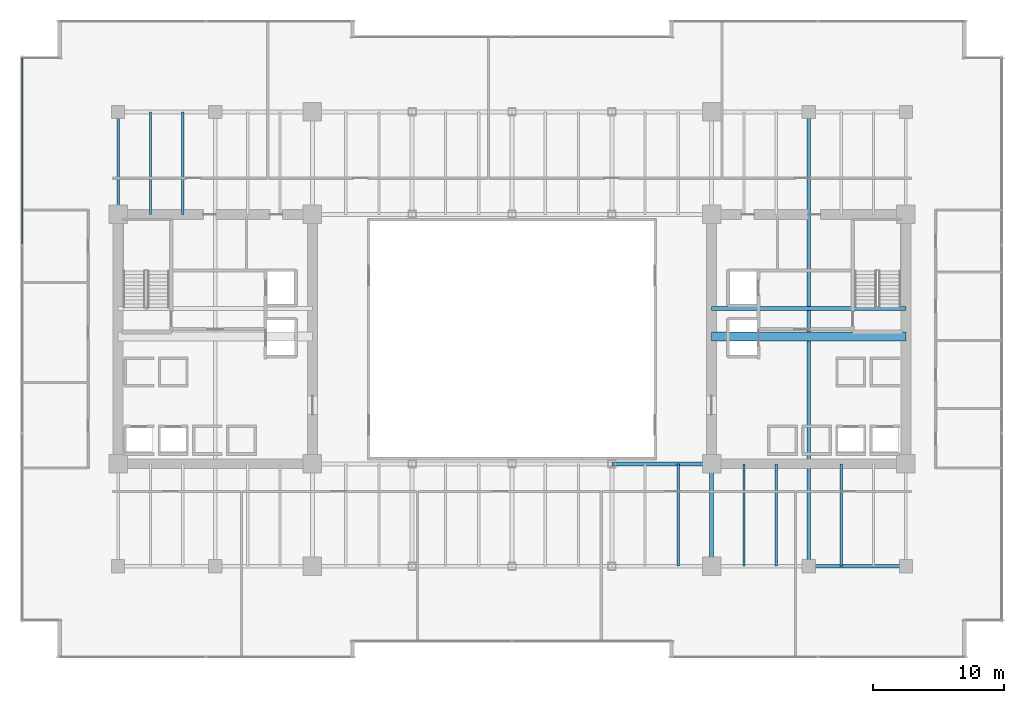
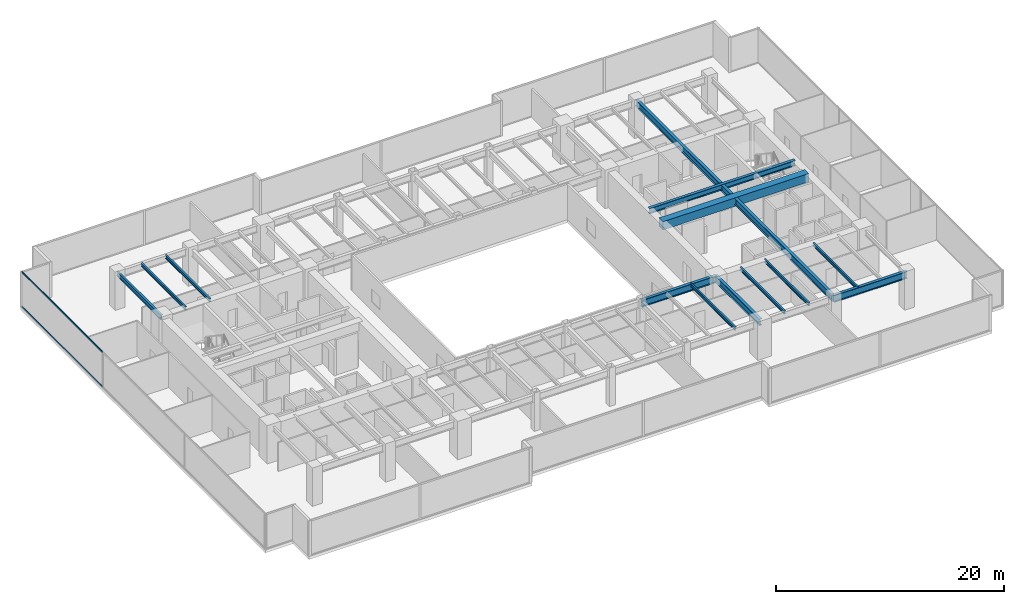
# One storey, part 11 of 35: 13 beams, 2 members, 1 element without a shape of its own.
"""IFC4 building model written with IfcOpenShell, lengths in metres."""

import ifcopenshell
import ifcopenshell.guid

model = None  # the IFC model being written
_history = None  # IfcOwnerHistory: only IFC2X3 demands one
_inside = {}  # id of a spatial element -> (the spatial element, [elements in it])
_under = {}  # id of a project, library or spatial element -> (it, [spatial elements below it])
_declared = {}  # id of a project -> (the project, [libraries it declares])
_typed = {}  # id of a type object -> (the type object, [elements of that type])
_made_of = {}  # id of a material, layer set ... -> (it, [elements and type objects made of it])


def new_model(schema):
    """Start an empty IFC model of exactly this schema.

    Asked for "IFC4X3", IfcOpenShell would pick the latest addendum, in which some entities
    have other attributes; the version numbers below select the first issue.
    IFC2X3 requires an IfcOwnerHistory on every rooted entity: one is made here for all.
    """
    global model, _history
    if schema == "IFC4X3":
        model = ifcopenshell.file(schema_version=(4, 3, 0, 0))
    else:
        model = ifcopenshell.file(schema=schema)
    _inside.clear()
    _under.clear()
    _declared.clear()
    _typed.clear()
    _made_of.clear()
    _history = None
    if model.schema == "IFC2X3":
        org = make("IfcOrganization", Name="unknown")
        user = make(
            "IfcPersonAndOrganization",
            ThePerson=make("IfcPerson", FamilyName="unknown"),
            TheOrganization=org,
        )
        app = make(
            "IfcApplication",
            ApplicationDeveloper=org,
            Version="unknown",
            ApplicationFullName="unknown",
            ApplicationIdentifier="unknown",
        )
        _history = make(
            "IfcOwnerHistory",
            OwningUser=user,
            OwningApplication=app,
            ChangeAction="ADDED",
            CreationDate=0,
        )
    return model


def make(cls, **values):
    """One entity of the class cls with the attributes given. An attribute that is None is left unset."""
    return model.create_entity(
        cls, **{name: value for name, value in values.items() if value is not None}
    )


def rooted(cls, **values):
    """An entity with a GlobalId (a new one), such as an element, a storey or a relation."""
    return make(cls, GlobalId=ifcopenshell.guid.new(), OwnerHistory=_history, **values)


def si_unit(unit_type, name, prefix=None):
    """IfcSIUnit, for example si_unit("LENGTHUNIT", "METRE", prefix="MILLI")."""
    return make("IfcSIUnit", UnitType=unit_type, Prefix=prefix, Name=name)


def assignment(units):
    """IfcUnitAssignment: the units of a project."""
    return None if units is None else make("IfcUnitAssignment", Units=units)


def point(xyz):
    """IfcCartesianPoint."""
    return None if xyz is None else make("IfcCartesianPoint", Coordinates=xyz)


def direction(xyz):
    """IfcDirection."""
    return None if xyz is None else make("IfcDirection", DirectionRatios=xyz)


def frame(location, z_axis=None, x_axis=None):
    """IfcAxis2Placement3D, a coordinate frame: its origin and axes. An axis left out is left unset."""
    return make(
        "IfcAxis2Placement3D",
        Location=point(location),
        Axis=direction(z_axis),
        RefDirection=direction(x_axis),
    )


def frame_2d(location, x_axis=None):
    """IfcAxis2Placement2D, a coordinate frame in the plane: its origin and x axis."""
    return make(
        "IfcAxis2Placement2D", Location=point(location), RefDirection=direction(x_axis)
    )


def origin():
    """The frame at (0, 0, 0) with its axes left unset."""
    return frame((0.0, 0.0, 0.0))


def origin_2d():
    """The frame at (0, 0) in the plane with its x axis left unset."""
    return frame_2d((0.0, 0.0))


def place(relative_to, where):
    """IfcLocalPlacement: puts the frame where relative to a parent placement (None: the world)."""
    return make(
        "IfcLocalPlacement", PlacementRelTo=relative_to, RelativePlacement=where
    )


def context(
    kind, dimensions, precision=None, world=None, true_north=None, identifier=None
):
    """IfcGeometricRepresentationContext, for example the 3D "Model" context."""
    return make(
        "IfcGeometricRepresentationContext",
        ContextIdentifier=identifier,
        ContextType=kind,
        CoordinateSpaceDimension=dimensions,
        Precision=precision,
        WorldCoordinateSystem=world,
        TrueNorth=true_north,
    )


def subcontext(parent, identifier, kind, view, scale=None):
    """IfcGeometricRepresentationSubContext, for example "Body" below "Model"."""
    return make(
        "IfcGeometricRepresentationSubContext",
        ContextIdentifier=identifier,
        ContextType=kind,
        ParentContext=parent,
        TargetScale=scale,
        TargetView=view,
    )


def project(units=None, contexts=None):
    """IfcProject with its units and contexts."""
    return rooted(
        "IfcProject",
        Name="project",
        RepresentationContexts=contexts,
        UnitsInContext=assignment(units),
    )


def spatial(cls, under=None, at=None, **own):
    """A site, building, storey or space (cls), placed at a placement, below another one or the project."""
    s = rooted(cls, ObjectPlacement=at, **own)
    if under is not None:
        _under.setdefault(under.id(), (under, []))[1].append(s)
    return s


def profile(cls, at=None, kind="AREA", **sizes):
    """A parametric profile (cls). Its sizes go by their IFC names, for example OverallWidth=200.0."""
    return make(cls, ProfileType=kind, Position=at, **sizes)


def rectangle(**sizes):
    """IfcRectangleProfileDef."""
    return profile("IfcRectangleProfileDef", **sizes)


def hollow_rectangle(**sizes):
    """IfcRectangleHollowProfileDef."""
    return profile("IfcRectangleHollowProfileDef", **sizes)


def i_section(**sizes):
    """IfcIShapeProfileDef."""
    return profile("IfcIShapeProfileDef", **sizes)


def extrude(swept, where, along, depth):
    """IfcExtrudedAreaSolid: the profile swept, set in the frame where, extruded along a direction by depth."""
    return make(
        "IfcExtrudedAreaSolid",
        SweptArea=swept,
        Position=where,
        ExtrudedDirection=direction(along),
        Depth=depth,
    )


def shape(context_of_items, identifier, shape_type, items):
    """IfcShapeRepresentation: the items that make up one representation, for example the "Body"."""
    return make(
        "IfcShapeRepresentation",
        ContextOfItems=context_of_items,
        RepresentationIdentifier=identifier,
        RepresentationType=shape_type,
        Items=items,
    )


def source(mapping_origin, context_of_items, identifier, shape_type, items):
    """IfcRepresentationMap: a shape defined once, which mapped items show again and again."""
    return make(
        "IfcRepresentationMap",
        MappingOrigin=mapping_origin,
        MappedRepresentation=shape(context_of_items, identifier, shape_type, items),
    )


def transform(
    local_origin,
    x_axis=None,
    y_axis=None,
    z_axis=None,
    scale=None,
    scale2=None,
    scale3=None,
    uniform=True,
):
    """IfcCartesianTransformationOperator3D, or its non-uniform kind. x_axis, y_axis, z_axis: its Axis1, 2, 3."""
    if uniform:
        return make(
            "IfcCartesianTransformationOperator3D",
            Axis1=direction(x_axis),
            Axis2=direction(y_axis),
            LocalOrigin=point(local_origin),
            Scale=scale,
            Axis3=direction(z_axis),
        )
    return make(
        "IfcCartesianTransformationOperator3DnonUniform",
        Axis1=direction(x_axis),
        Axis2=direction(y_axis),
        LocalOrigin=point(local_origin),
        Scale=scale,
        Axis3=direction(z_axis),
        Scale2=scale2,
        Scale3=scale3,
    )


def mapped(mapping_source, mapping_target):
    """IfcMappedItem: shows the shape of a source again, moved by a transform."""
    return make(
        "IfcMappedItem", MappingSource=mapping_source, MappingTarget=mapping_target
    )


def material(Name=None, Category=None):
    """IfcMaterial."""
    return make("IfcMaterial", Name=Name, Category=Category)


def layer(
    of_material, thickness, ventilated=None, Name=None, Category=None, Priority=None
):
    """IfcMaterialLayer: one layer of a wall or slab, of a material (None: an air gap)."""
    return make(
        "IfcMaterialLayer",
        Material=of_material,
        LayerThickness=thickness,
        IsVentilated=ventilated,
        Name=Name,
        Category=Category,
        Priority=Priority,
    )


def layer_set(layers, Name=None):
    """IfcMaterialLayerSet."""
    return make("IfcMaterialLayerSet", MaterialLayers=layers, LayerSetName=Name)


def material_profile(
    of_material, cross_section, Name=None, Category=None, Priority=None
):
    """IfcMaterialProfile: a cross section and its material."""
    return make(
        "IfcMaterialProfile",
        Name=Name,
        Material=of_material,
        Profile=cross_section,
        Priority=Priority,
        Category=Category,
    )


def profile_set(profiles, Name=None, composite=None):
    """IfcMaterialProfileSet."""
    return make(
        "IfcMaterialProfileSet",
        Name=Name,
        MaterialProfiles=profiles,
        CompositeProfile=composite,
    )


def made_of(thing, what):
    """Note that an element or type object is made of a material, layer set ...; save() writes the relation."""
    if what is not None:
        _made_of.setdefault(what.id(), (what, []))[1].append(thing)
    return thing


def type_object(cls, material=None, **own):
    """A type object (cls), such as IfcWallType, which elements share."""
    return made_of(rooted(cls, **own), material)


def type_shapes(of_type, sources):
    """Give a type object the sources (RepresentationMaps) that its elements show as mapped items."""
    of_type.RepresentationMaps = sources


def element(
    cls,
    number,
    at=None,
    inside=None,
    cuts=None,
    type_object=None,
    material=None,
    context=None,
    identifier="Body",
    shape_type=None,
    held_by="IfcProductDefinitionShape",
    body=None,
    shapes=None,
    **own,
):
    """One element of the class cls, such as IfcWall. Its Tag is "e" and its number.

    at: its placement. inside: the storey or other place that contains it. cuts: it is an
    opening in that element (IfcRelVoidsElement). A single representation is given by context,
    identifier, shape_type and body (its items); several are given by shapes. held_by: the class
    of the entity that holds the representations. save() writes the other relations.
    """
    e = rooted(cls, Tag="e%d" % number, ObjectPlacement=at, **own)
    if body is not None:
        shapes = [shape(context, identifier, shape_type, body)]
    if shapes is not None:
        e.Representation = make(held_by, Representations=shapes)
    if inside is not None:
        _inside.setdefault(inside.id(), (inside, []))[1].append(e)
    if cuts is not None:
        rooted(
            "IfcRelVoidsElement", RelatingBuildingElement=cuts, RelatedOpeningElement=e
        )
    if type_object is not None:
        _typed.setdefault(type_object.id(), (type_object, []))[1].append(e)
    return made_of(e, material)


def aggregate(whole, parts):
    """IfcRelAggregates: a whole, such as a stair, and the parts it consists of."""
    return rooted("IfcRelAggregates", RelatingObject=whole, RelatedObjects=parts)


def save(model, path):
    """Write the relations noted so far, then the file.

    IfcRelAggregates (storeys below a building ...), IfcRelContainedInSpatialStructure (elements
    in a storey), IfcRelDefinesByType, IfcRelAssociatesMaterial and IfcRelDeclares: one each for
    every whole, place, type object, material and project.
    """
    for whole, parts in _under.values():
        aggregate(whole, parts)
    for where, things in _inside.values():
        rooted(
            "IfcRelContainedInSpatialStructure",
            RelatedElements=things,
            RelatingStructure=where,
        )
    for kind, things in _typed.values():
        rooted("IfcRelDefinesByType", RelatedObjects=things, RelatingType=kind)
    for what, things in _made_of.values():
        rooted("IfcRelAssociatesMaterial", RelatedObjects=things, RelatingMaterial=what)
    for by, libraries in _declared.values():
        rooted("IfcRelDeclares", RelatingContext=by, RelatedDefinitions=libraries)
    model.write(path)


model = new_model("IFC4")

# Units and contexts
model_context = context("Model", 3, precision=1e-05, world=origin(), true_north=direction((0.0, 1.0)))
body_context = subcontext(model_context, "Body", "Model", "MODEL_VIEW")
ifc_project = project(units=[si_unit("LENGTHUNIT", "METRE"), si_unit("AREAUNIT", "SQUARE_METRE"), si_unit("VOLUMEUNIT", "CUBIC_METRE"), si_unit("PLANEANGLEUNIT", "RADIAN"), si_unit("MASSUNIT", "GRAM", prefix="KILO")], contexts=[model_context])

# Site, building, storey
site_placement = place(None, origin())
site = spatial("IfcSite", under=ifc_project, at=site_placement, CompositionType="ELEMENT")
building_placement = place(site_placement, origin())
building = spatial("IfcBuilding", under=site, at=building_placement, Name="Haelvirn Gate Laboratories", CompositionType="ELEMENT")
storey_placement = place(building_placement, frame((0.0, 0.0, 58.0)))
storey = spatial("IfcBuildingStorey", under=building, at=storey_placement, Name="L14", CompositionType="ELEMENT", Elevation=58.0)

# Beams
ifc_material_1 = material(Name="Concrete C60/75", Category="concrete")
ifc_material_profile_1 = material_profile(ifc_material_1, rectangle(XDim=0.699951171875, YDim=0.89990234375, at=origin_2d()), Name="RCB-700x900")
ifc_profile_set_1 = profile_set([ifc_material_profile_1], Name="Concrete C60/75")
beam_type_1 = type_object("IfcBeamType", Name="BM-RCB-900", PredefinedType="LINTEL", material=ifc_profile_set_1)
shared_shape_1 = source(origin(), body_context, "Body", "SweptSolid", [
    extrude(rectangle(XDim=0.699951171875, YDim=0.89990234375, at=origin_2d()), origin(), (0.0, 0.0, 1.0), 14.7998046875),
])
type_shapes(beam_type_1, [shared_shape_1])
beam_1_placement = place(storey_placement, frame((52.60009765625, 24.5, 3.330078125), z_axis=(1.0, 0.0, 0.0), x_axis=(0.0, 1.0, 0.0)))
element("IfcBeam", 1, at=beam_1_placement, inside=storey, type_object=beam_type_1, Name="L14 East Core Coupling Beam", PredefinedType="LINTEL", context=body_context, shape_type="MappedRepresentation", body=[
    mapped(shared_shape_1, transform((0.0, 0.0, 0.0), scale=1.0)),
])
ifc_material_2 = material(Name="Steel SM355", Category="steel")
ifc_material_profile_2 = material_profile(ifc_material_2, i_section(OverallWidth=0.300048828125, OverallDepth=0.587890625, WebThickness=0.011962890625, FlangeThickness=0.02001953125, at=origin_2d()), Name="H-588x300x12x20")
ifc_profile_set_2 = profile_set([ifc_material_profile_2], Name="Steel SM355")
beam_type_2 = type_object("IfcBeamType", Name="BM-G-588", PredefinedType="BEAM", material=ifc_profile_set_2)
shared_shape_2 = source(origin(), body_context, "Body", "SweptSolid", [
    extrude(i_section(OverallWidth=0.300048828125, OverallDepth=0.587890625, WebThickness=0.011962890625, FlangeThickness=0.02001953125, at=origin_2d()), origin(), (0.0, 0.0, 1.0), 14.7998046875),
])
type_shapes(beam_type_2, [shared_shape_2])
beam_2_placement = place(storey_placement, frame((52.60009765625, 26.6201171875, 3.486083984375), z_axis=(1.0, 0.0, 0.0), x_axis=(0.0, 1.0, 0.0)))
element("IfcBeam", 2, at=beam_2_placement, inside=storey, type_object=beam_type_2, Name="L14 Stair ST2 Landing Header", PredefinedType="BEAM", context=body_context, shape_type="MappedRepresentation", body=[
    mapped(shared_shape_2, transform((0.0, 0.0, 0.0), scale=1.0)),
])
ifc_material_profile_3 = material_profile(ifc_material_2, i_section(OverallWidth=0.300048828125, OverallDepth=0.699951171875, WebThickness=0.012939453125, FlangeThickness=0.02392578125, at=origin_2d()), Name="H-700x300x13x24")
ifc_profile_set_3 = profile_set([ifc_material_profile_3], Name="Steel SM355")
beam_type_3 = type_object("IfcBeamType", Name="BM-G-700", PredefinedType="BEAM", material=ifc_profile_set_3)
shared_shape_3 = source(origin(), body_context, "Body", "SweptSolid", [
    extrude(i_section(OverallWidth=0.300048828125, OverallDepth=0.699951171875, WebThickness=0.012939453125, FlangeThickness=0.02392578125, at=origin_2d()), origin(), (0.0, 0.0, 1.0), 7.800048828125),
])
beam_3_placement = place(storey_placement, frame((52.60009765625, 7.0, 3.429931640625), z_axis=(0.0, 1.0, 0.0), x_axis=(-1.0, 0.0, 0.0)))
element("IfcBeam", 3, at=beam_3_placement, inside=storey, type_object=beam_type_3, Name="L14 Frame Girder X52.6 (7.0-14.8)", PredefinedType="BEAM", context=body_context, shape_type="MappedRepresentation", body=[
    mapped(shared_shape_3, transform((0.0, 0.0, 0.0), scale=1.0)),
])
shared_shape_4 = source(origin(), body_context, "Body", "SweptSolid", [
    extrude(i_section(OverallWidth=0.300048828125, OverallDepth=0.699951171875, WebThickness=0.012939453125, FlangeThickness=0.02392578125, at=origin_2d()), origin(), (0.0, 0.0, 1.0), 34.60009765625),
])
type_shapes(beam_type_3, [shared_shape_3, shared_shape_4])
beam_4_placement = place(storey_placement, frame((60.0, 7.0, 3.429931640625), z_axis=(0.0, 1.0, 0.0), x_axis=(-1.0, 0.0, 0.0)))
element("IfcBeam", 4, at=beam_4_placement, inside=storey, type_object=beam_type_3, Name="L14 Frame Girder X60.0 (7.0-41.6)", PredefinedType="BEAM", context=body_context, shape_type="MappedRepresentation", body=[
    mapped(shared_shape_4, transform((0.0, 0.0, 0.0), scale=1.0)),
])
ifc_material_profile_4 = material_profile(ifc_material_2, i_section(OverallWidth=0.300048828125, OverallDepth=0.75, WebThickness=0.013916015625, FlangeThickness=0.02392578125, at=origin_2d()), Name="H-750x300x14x24")
ifc_profile_set_4 = profile_set([ifc_material_profile_4], Name="Steel SM355")
beam_type_4 = type_object("IfcBeamType", Name="BM-G-750", PredefinedType="BEAM", material=ifc_profile_set_4)
shared_shape_5 = source(origin(), body_context, "Body", "SweptSolid", [
    extrude(i_section(OverallWidth=0.300048828125, OverallDepth=0.75, WebThickness=0.013916015625, FlangeThickness=0.02392578125, at=origin_2d()), origin(), (0.0, 0.0, 1.0), 7.39990234375),
])
beam_5_placement = place(storey_placement, frame((60.0, 7.0, 3.405029296875), z_axis=(1.0, 0.0, 0.0), x_axis=(0.0, 1.0, 0.0)))
element("IfcBeam", 5, at=beam_5_placement, inside=storey, type_object=beam_type_4, Name="L14 Primary Girder Y7.0 (60.0-67.4)", PredefinedType="BEAM", context=body_context, shape_type="MappedRepresentation", body=[
    mapped(shared_shape_5, transform((0.0, 0.0, 0.0), scale=1.0)),
])
shared_shape_6 = source(origin(), body_context, "Body", "SweptSolid", [
    extrude(i_section(OverallWidth=0.300048828125, OverallDepth=0.75, WebThickness=0.013916015625, FlangeThickness=0.02392578125, at=origin_2d()), origin(), (0.0, 0.0, 1.0), 7.60009765625),
])
type_shapes(beam_type_4, [shared_shape_5, shared_shape_6])
beam_6_placement = place(storey_placement, frame((45.0, 14.800048828125, 3.405029296875), z_axis=(1.0, 0.0, 0.0), x_axis=(0.0, 1.0, 0.0)))
element("IfcBeam", 6, at=beam_6_placement, inside=storey, type_object=beam_type_4, Name="L14 Primary Girder Y14.8 (45.0-52.6)", PredefinedType="BEAM", context=body_context, shape_type="MappedRepresentation", body=[
    mapped(shared_shape_6, transform((0.0, 0.0, 0.0), scale=1.0)),
])
ifc_material_profile_5 = material_profile(ifc_material_2, i_section(OverallWidth=0.199951171875, OverallDepth=0.5, WebThickness=0.010009765625, FlangeThickness=0.01611328125, at=origin_2d()), Name="H-500x200x10x16")
ifc_profile_set_5 = profile_set([ifc_material_profile_5], Name="Steel SM355")
beam_type_5 = type_object("IfcBeamType", Name="BM-SP-500", PredefinedType="SPANDREL", material=ifc_profile_set_5)
shared_shape_7 = source(origin(), body_context, "Body", "SweptSolid", [
    extrude(i_section(OverallWidth=0.199951171875, OverallDepth=0.5, WebThickness=0.010009765625, FlangeThickness=0.01611328125, at=origin_2d()), origin(), (0.0, 0.0, 1.0), 7.800048828125),
])
type_shapes(beam_type_5, [shared_shape_7])
beam_7_placement = place(storey_placement, frame((7.39990234375, 33.800048828125, 3.530029296875), z_axis=(0.0, 1.0, 0.0), x_axis=(-1.0, 0.0, 0.0)))
element("IfcBeam", 7, at=beam_7_placement, inside=storey, type_object=beam_type_5, Name="L14 Perimeter Spandrel X7.4 (33.8-41.6)", PredefinedType="SPANDREL", context=body_context, shape_type="MappedRepresentation", body=[
    mapped(shared_shape_7, transform((0.0, 0.0, 0.0), scale=1.0)),
])
ifc_material_profile_6 = material_profile(ifc_material_2, i_section(OverallWidth=0.175048828125, OverallDepth=0.35009765625, WebThickness=0.007080078125, FlangeThickness=0.010986328125, at=origin_2d()), Name="H-350x175x7x11")
ifc_profile_set_6 = profile_set([ifc_material_profile_6], Name="Steel SM355")
beam_type_6 = type_object("IfcBeamType", Name="BM-J-350", PredefinedType="JOIST", material=ifc_profile_set_6)
shared_shape_8 = source(origin(), body_context, "Body", "SweptSolid", [
    extrude(i_section(OverallWidth=0.175048828125, OverallDepth=0.35009765625, WebThickness=0.007080078125, FlangeThickness=0.010986328125, at=origin_2d()), origin(), (0.0, 0.0, 1.0), 7.800048828125),
])
type_shapes(beam_type_6, [shared_shape_8])
for number, where, z_axis, x_axis, name in (
    (8, (9.8701171875, 33.800048828125, 3.60498046875), (0.0, 1.0, 0.0), (-1.0, 0.0, 0.0), "L14 Composite Lab Joist North X9.87"),
    (9, (12.330078125, 33.800048828125, 3.60498046875), (0.0, 1.0, 0.0), (-1.0, 0.0, 0.0), "L14 Composite Lab Joist North X12.33"),
    (10, (50.070068359375, 7.0, 3.60498046875), (0.0, 1.0, 0.0), (-1.0, 0.0, 0.0), "L14 Composite Lab Joist South X50.07"),
    (11, (55.070068359375, 7.0, 3.60498046875), (0.0, 1.0, 0.0), (-1.0, 0.0, 0.0), "L14 Composite Lab Joist South X55.07"),
    (12, (57.530029296875, 7.0, 3.60498046875), (0.0, 1.0, 0.0), (-1.0, 0.0, 0.0), "L14 Composite Lab Joist South X57.53"),
    (13, (62.469970703125, 7.0, 3.60498046875), (0.0, 1.0, 0.0), (-1.0, 0.0, 0.0), "L14 Composite Lab Joist South X62.47"),
):
    element("IfcBeam", number, at=place(storey_placement, frame(where, z_axis=z_axis, x_axis=x_axis)), inside=storey, type_object=beam_type_6, Name=name, PredefinedType="JOIST", context=body_context, shape_type="MappedRepresentation", body=[
        mapped(shared_shape_8, transform((0.0, 0.0, 0.0), scale=1.0)),
    ])

# Curtain wall, members
ifc_material_3 = material(Name="Anodised bronze unitised aluminium & triple low-E glass", Category="aluminium")
ifc_layer = layer(ifc_material_3, 0.18408203125, Name="CW-SYS-2")
ifc_layer_set = layer_set([ifc_layer], Name="Anodised bronze unitised aluminium & triple low-E glass")
curtain_wall_type = type_object("IfcCurtainWallType", Name="CW-SYS-2", PredefinedType="NOTDEFINED", material=ifc_layer_set)
curtain_wall_placement = place(storey_placement, origin())
curtain_wall = element("IfcCurtainWall", 14, at=curtain_wall_placement, inside=storey, type_object=curtain_wall_type, Name="L14 Unitised Curtain Wall CW-L14-P0-E17", PredefinedType="NOTDEFINED")
ifc_material_4 = material(Name="Extruded aluminium 6063-T6 (anodised bronze)", Category="aluminium")
ifc_material_profile_7 = material_profile(ifc_material_4, hollow_rectangle(XDim=0.070068359375, YDim=0.159912109375, WallThickness=0.0048828125, at=origin_2d()), Name="CWT-160x70x5")
ifc_profile_set_7 = profile_set([ifc_material_profile_7], Name="Extruded aluminium 6063-T6 (anodised bronze)")
member_type = type_object("IfcMemberType", Name="CWT-T160", PredefinedType="USERDEFINED", material=ifc_profile_set_7)
shared_shape_9 = source(origin(), body_context, "Body", "SweptSolid", [
    extrude(hollow_rectangle(XDim=0.070068359375, YDim=0.159912109375, WallThickness=0.0048828125, at=origin_2d()), origin(), (0.0, 0.0, 1.0), 14.220947265625),
])
type_shapes(member_type, [shared_shape_9])
member_1_placement = place(storey_placement, frame((0.10009765625, 45.72509765625, 0.034912109375), z_axis=(0.0, -1.0, 0.0), x_axis=(1.0, 0.0, 0.0)))
member_1 = element("IfcMember", 15, at=member_1_placement, type_object=member_type, Name="CW2 transom 1.1", ObjectType="TRANSOM", PredefinedType="USERDEFINED", context=body_context, shape_type="MappedRepresentation", body=[
    mapped(shared_shape_9, transform((0.0, 0.0, 0.0), scale=1.0)),
])
member_2_placement = place(storey_placement, frame((0.10009765625, 45.72509765625, 3.7451171875), z_axis=(0.0, -1.0, 0.0), x_axis=(1.0, 0.0, 0.0)))
member_2 = element("IfcMember", 16, at=member_2_placement, type_object=member_type, Name="CW2 transom 1.2", ObjectType="TRANSOM", PredefinedType="USERDEFINED", context=body_context, shape_type="MappedRepresentation", body=[
    mapped(shared_shape_9, transform((0.0, 0.0, 0.0), scale=1.0)),
])
aggregate(curtain_wall, [member_1, member_2])

save(model, "model.ifc")
